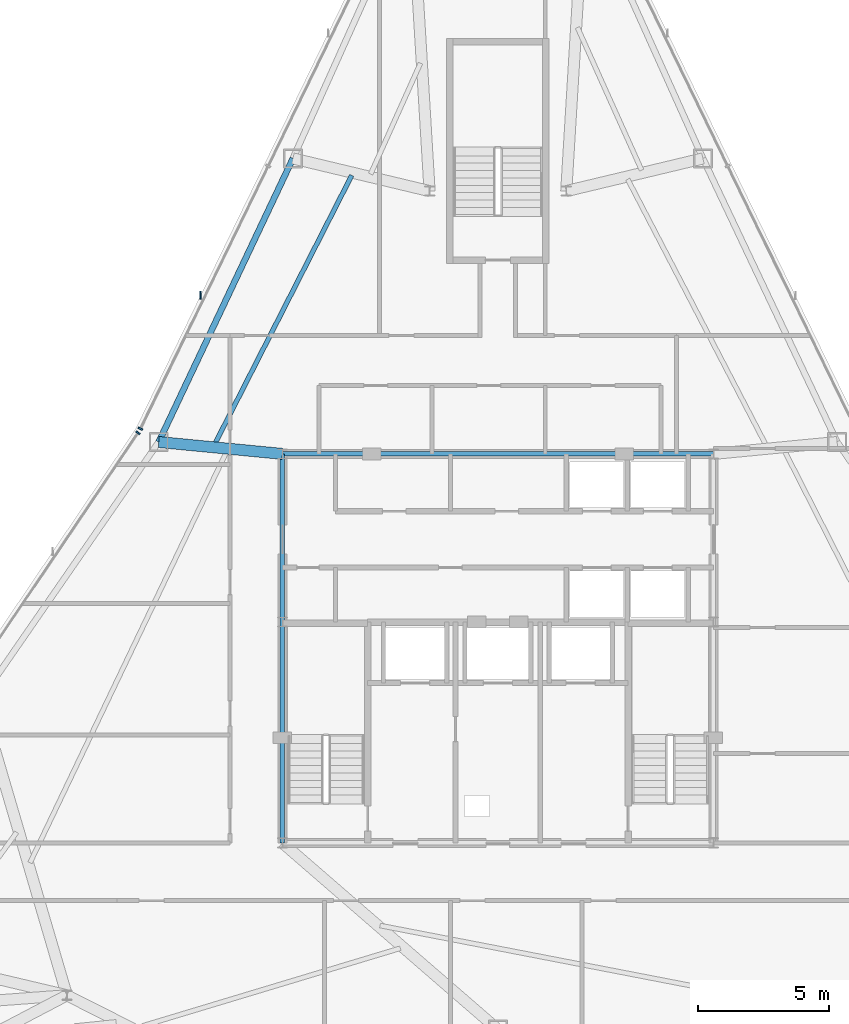
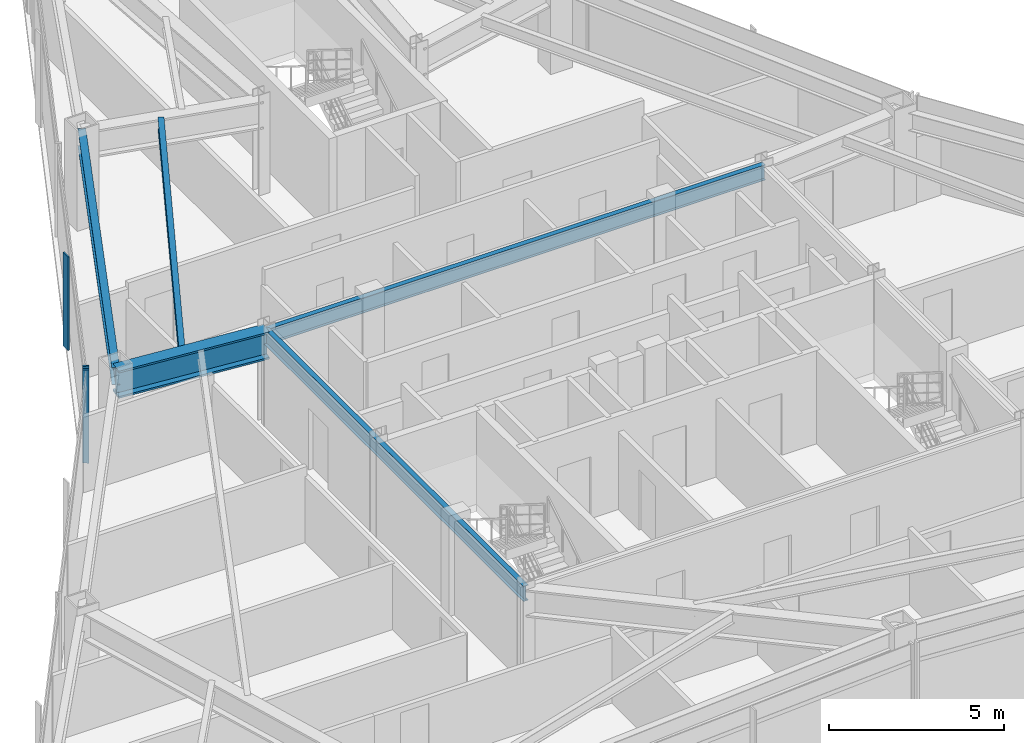
# One storey, part 5 of 12: 5 beams, 3 members, 2 elements without a shape of their own.
"""IFC4 building model written with IfcOpenShell, lengths in metres."""

from ifc_helpers import new_model, si_unit, direction, frame, origin, origin_2d, place, context, subcontext, project, spatial, rectangle, i_section, extrude, source, transform, mapped, material, layer, layer_set, material_profile, profile_set, type_object, type_shapes, element, aggregate, save


model = new_model("IFC4")

# Units and contexts
model_context = context("Model", 3, precision=1e-05, world=origin(), true_north=direction((0.0, 1.0)))
body_context = subcontext(model_context, "Body", "Model", "MODEL_VIEW")
ifc_project = project(units=[si_unit("LENGTHUNIT", "METRE"), si_unit("AREAUNIT", "SQUARE_METRE"), si_unit("VOLUMEUNIT", "CUBIC_METRE"), si_unit("PLANEANGLEUNIT", "RADIAN"), si_unit("MASSUNIT", "GRAM", prefix="KILO")], contexts=[model_context])

# Site, building, storey
site_placement = place(None, origin())
site = spatial("IfcSite", under=ifc_project, at=site_placement, CompositionType="ELEMENT")
building_placement = place(site_placement, origin())
building = spatial("IfcBuilding", under=site, at=building_placement, Name="Varakhsha Concourse Tower", CompositionType="ELEMENT")
storey_placement = place(building_placement, frame((0.0, 0.0, 204.89990234375)))
storey = spatial("IfcBuildingStorey", under=building, at=storey_placement, Name="L58", CompositionType="ELEMENT", Elevation=204.89990234375)

# Beams
ifc_material_1 = material(Name="Structural Steel ASTM A992 Grade 50", Category="steel")
ifc_material_profile_1 = material_profile(ifc_material_1, i_section(OverallWidth=0.177978515625, OverallDepth=0.406982421875, WebThickness=0.008056640625, FlangeThickness=0.012939453125, at=origin_2d()), Name="W16X40")
ifc_profile_set_1 = profile_set([ifc_material_profile_1], Name="Structural Steel ASTM A992 Grade 50")
beam_type_1 = type_object("IfcBeamType", Name="BM-JST-W16X40", PredefinedType="JOIST", material=ifc_profile_set_1)
beam_1_placement = place(storey_placement, frame((34.43798828125, 41.7978515625, 3.046630859375), z_axis=(-0.454162340778, -0.890918945931, 0.0), x_axis=(0.890918945931, -0.454162340778, 0.0)))
element("IfcBeam", 1, at=beam_1_placement, inside=storey, type_object=beam_type_1, Name="BM-TJST-L58-04", PredefinedType="JOIST", context=body_context, shape_type="SweptSolid", body=[
    extrude(i_section(OverallWidth=0.177978515625, OverallDepth=0.406982421875, WebThickness=0.008056640625, FlangeThickness=0.012939453125, at=origin_2d()), origin(), (0.0, 0.0, 1.0), 11.501708984375),
])
ifc_material_profile_2 = material_profile(ifc_material_1, i_section(OverallWidth=0.423095703125, OverallDepth=0.947998046875, WebThickness=0.0380859375, FlangeThickness=0.06396484375, at=origin_2d()), Name="W36X302")
ifc_profile_set_2 = profile_set([ifc_material_profile_2], Name="Structural Steel ASTM A992 Grade 50")
beam_type_2 = type_object("IfcBeamType", Name="BM-OUTR-W36X302", PredefinedType="USERDEFINED", material=ifc_profile_set_2)
beam_2_placement = place(storey_placement, frame((31.800048828125, 31.199951171875, 2.776123046875), z_axis=(-0.995426515274, 0.095530375746, 0.0), x_axis=(-0.095530375746, -0.995426515274, 0.0)))
element("IfcBeam", 2, at=beam_2_placement, inside=storey, type_object=beam_type_2, Name="L58 Radial Floor Girder 05", ObjectType="GIRDER", PredefinedType="USERDEFINED", context=body_context, shape_type="SweptSolid", body=[
    extrude(i_section(OverallWidth=0.423095703125, OverallDepth=0.947998046875, WebThickness=0.0380859375, FlangeThickness=0.06396484375, at=origin_2d()), origin(), (0.0, 0.0, 1.0), 4.72802734375),
])
ifc_material_profile_3 = material_profile(ifc_material_1, i_section(OverallWidth=0.1669921875, OverallDepth=0.534912109375, WebThickness=0.010009765625, FlangeThickness=0.01708984375, at=origin_2d()), Name="W21X57")
ifc_profile_set_3 = profile_set([ifc_material_profile_3], Name="Structural Steel ASTM A992 Grade 50")
beam_type_3 = type_object("IfcBeamType", Name="BM-RAD-W21X57", PredefinedType="BEAM", material=ifc_profile_set_3)
beam_3_placement = place(storey_placement, frame((31.800048828125, 31.199951171875, 2.982666015625), z_axis=(1.0, 0.0, 0.0), x_axis=(0.0, 1.0, 0.0)))
element("IfcBeam", 3, at=beam_3_placement, inside=storey, type_object=beam_type_3, Name="BM-TCORE-L58-CN", PredefinedType="BEAM", context=body_context, shape_type="SweptSolid", body=[
    extrude(i_section(OverallWidth=0.1669921875, OverallDepth=0.534912109375, WebThickness=0.010009765625, FlangeThickness=0.01708984375, at=origin_2d()), origin(), (0.0, 0.0, 1.0), 16.39990234375),
])
beam_4_placement = place(storey_placement, frame((31.800048828125, 16.39990234375, 2.982666015625), z_axis=(0.0, 1.0, 0.0), x_axis=(-1.0, 0.0, 0.0)))
element("IfcBeam", 4, at=beam_4_placement, inside=storey, type_object=beam_type_3, Name="BM-TCORE-L58-CW", PredefinedType="BEAM", context=body_context, shape_type="SweptSolid", body=[
    extrude(i_section(OverallWidth=0.1669921875, OverallDepth=0.534912109375, WebThickness=0.010009765625, FlangeThickness=0.01708984375, at=origin_2d()), origin(), (0.0, 0.0, 1.0), 14.800048828125),
])
ifc_material_profile_4 = material_profile(ifc_material_1, i_section(OverallWidth=0.22900390625, OverallDepth=0.612060546875, WebThickness=0.011962890625, FlangeThickness=0.02001953125, at=origin_2d()), Name="W24X84")
ifc_profile_set_4 = profile_set([ifc_material_profile_4], Name="Structural Steel ASTM A992 Grade 50")
beam_type_4 = type_object("IfcBeamType", Name="BM-SPAN-W24X84", PredefinedType="SPANDREL", material=ifc_profile_set_4)
beam_5_placement = place(storey_placement, frame((32.199951171875, 42.442626953125, 2.944091796875), z_axis=(-0.427721486509, -0.903910576318, 0.0), x_axis=(0.903910576318, -0.427721486509, 0.0)))
element("IfcBeam", 5, at=beam_5_placement, inside=storey, type_object=beam_type_4, Name="BM-SPAN-L58-04", PredefinedType="SPANDREL", context=body_context, shape_type="SweptSolid", body=[
    extrude(i_section(OverallWidth=0.22900390625, OverallDepth=0.612060546875, WebThickness=0.011962890625, FlangeThickness=0.02001953125, at=origin_2d()), origin(), (0.0, 0.0, 1.0), 11.938232421875),
])

# Curtain wall, member
ifc_material_2 = material(Name="Anodised Bronze Architectural Aluminium AA 6063-T6", Category="aluminium")
ifc_layer = layer(ifc_material_2, 0.199951171875, Name="CW-SYS-05")
ifc_layer_set = layer_set([ifc_layer], Name="Anodised Bronze Architectural Aluminium AA 6063-T6")
curtain_wall_type = type_object("IfcCurtainWallType", Name="CW-SYS-05", PredefinedType="NOTDEFINED", material=ifc_layer_set)
curtain_wall_1_placement = place(storey_placement, origin())
curtain_wall_1 = element("IfcCurtainWall", 6, at=curtain_wall_1_placement, inside=storey, type_object=curtain_wall_type, Name="L58 Crystal Curtain Wall F2", PredefinedType="NOTDEFINED")
ifc_material_profile_5 = material_profile(ifc_material_2, rectangle(XDim=0.06494140625, YDim=0.179931640625, at=origin_2d()), Name="CWM-180X65")
ifc_profile_set_5 = profile_set([ifc_material_profile_5], Name="Anodised Bronze Architectural Aluminium AA 6063-T6")
member_type_1 = type_object("IfcMemberType", Name="CWM-180X65", PredefinedType="MULLION", material=ifc_profile_set_5)
shared_shape_1 = source(origin(), body_context, "Body", "SweptSolid", [
    extrude(rectangle(XDim=0.06494140625, YDim=0.179931640625, at=origin_2d()), origin(), (0.0, 0.0, 1.0), 3.25),
])
type_shapes(member_type_1, [shared_shape_1])
member_1_placement = place(storey_placement, frame((26.396240234375, 32.159423828125, 0.0), z_axis=(0.0, 0.0, 1.0), x_axis=(0.437497178592, 0.899219783325, 0.0)))
member_1 = element("IfcMember", 7, at=member_1_placement, type_object=member_type_1, Name="CW-L58-F2 Mullion 00", PredefinedType="MULLION", context=body_context, shape_type="MappedRepresentation", body=[
    mapped(shared_shape_1, transform((0.0, 0.0, 0.0), scale=1.0)),
])

curtain_wall_2_placement = place(storey_placement, origin())
curtain_wall_2 = element("IfcCurtainWall", 8, at=curtain_wall_2_placement, inside=storey, type_object=curtain_wall_type, Name="L58 Crystal Curtain Wall F3", PredefinedType="NOTDEFINED")
member_2_placement = place(storey_placement, frame((26.30517578125, 32.001708984375, 0.0), z_axis=(0.0, 0.0, 1.0), x_axis=(0.559998586649, 0.828493562408, 0.0)))
member_2 = element("IfcMember", 9, at=member_2_placement, type_object=member_type_1, Name="CW-L58-F3 Mullion 02", PredefinedType="MULLION", context=body_context, shape_type="MappedRepresentation", body=[
    mapped(shared_shape_1, transform((0.0, 0.0, 0.0), scale=1.0)),
])
aggregate(curtain_wall_2, [member_2])

# Member
ifc_material_profile_6 = material_profile(ifc_material_2, rectangle(XDim=0.054931640625, YDim=0.300048828125, at=origin_2d()), Name="FIN-BRZ-300")
ifc_profile_set_6 = profile_set([ifc_material_profile_6], Name="Anodised Bronze Architectural Aluminium AA 6063-T6")
member_type_2 = type_object("IfcMemberType", Name="FIN-BRZ-300", PredefinedType="USERDEFINED", material=ifc_profile_set_6)
shared_shape_2 = source(origin(), body_context, "Body", "SweptSolid", [
    extrude(rectangle(XDim=0.054931640625, YDim=0.300048828125, at=origin_2d()), origin(), (0.0, 0.0, 1.0), 3.25),
])
type_shapes(member_type_2, [shared_shape_2])
member_3_placement = place(storey_placement, frame((28.679443359375, 37.2294921875, 0.0), z_axis=(0.0, 0.0, 1.0), x_axis=(1.0, 0.0, 0.0)))
member_3 = element("IfcMember", 10, at=member_3_placement, type_object=member_type_2, Name="L58 Anodised Bronze Solar Fin F2-1", ObjectType="SOLAR FIN", PredefinedType="USERDEFINED", context=body_context, shape_type="MappedRepresentation", body=[
    mapped(shared_shape_2, transform((0.0, 0.0, 0.0), scale=1.0)),
])

aggregate(curtain_wall_1, [member_1, member_3])

save(model, "model.ifc")
